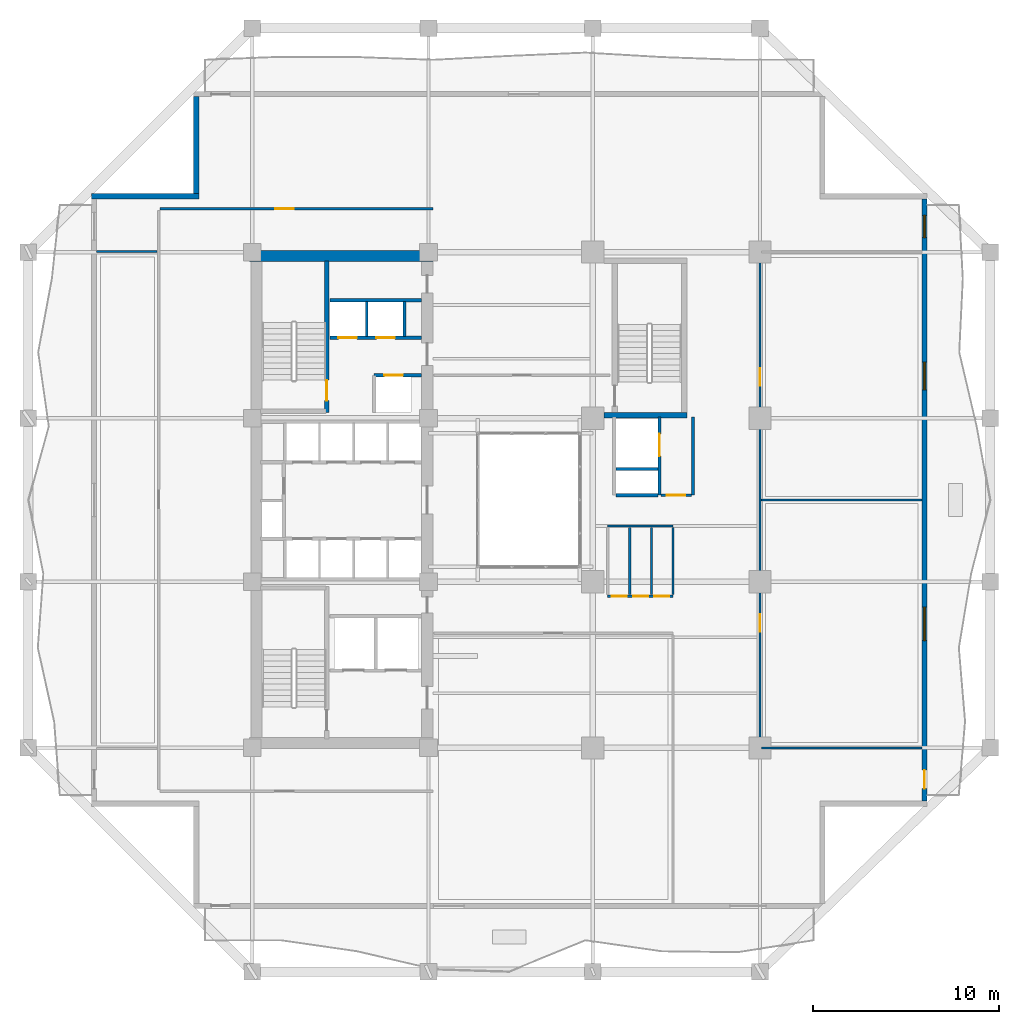
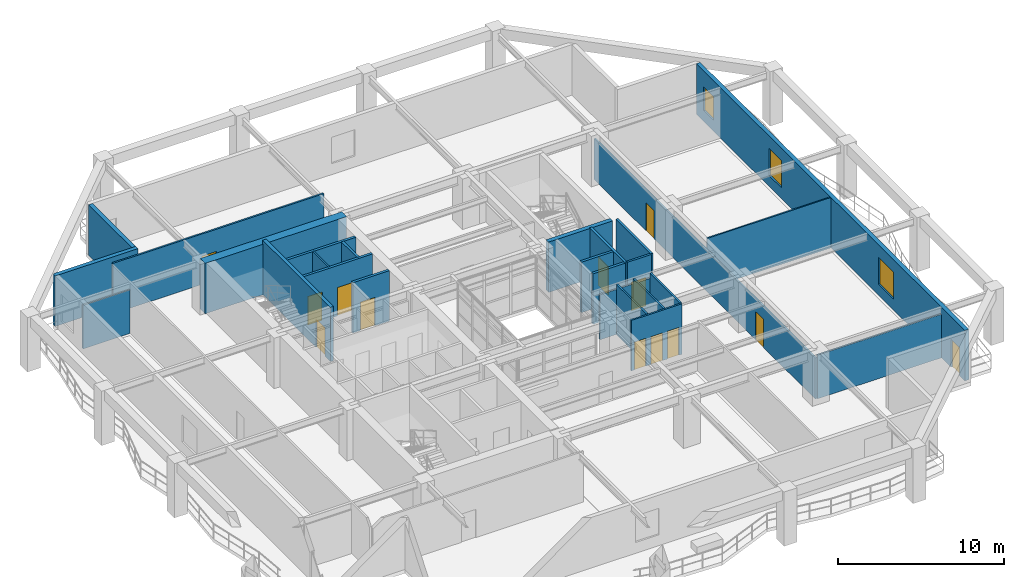
# One storey, part 8 of 17: 26 walls, 13 doors, 3 windows, 16 openings.
"""IFC4 building model written with IfcOpenShell, lengths in metres."""

from ifc_helpers import new_model, si_unit, direction, frame, frame_2d, origin, place, context, subcontext, project, spatial, rectangle, extrude, material, layer, layer_set, type_object, element, fill, save


model = new_model("IFC4")

# Units and contexts
model_context = context("Model", 3, precision=1e-05, world=origin(), true_north=direction((0.0, 1.0)))
body_context = subcontext(model_context, "Body", "Model", "MODEL_VIEW")
ifc_project = project(units=[si_unit("LENGTHUNIT", "METRE"), si_unit("AREAUNIT", "SQUARE_METRE"), si_unit("VOLUMEUNIT", "CUBIC_METRE"), si_unit("PLANEANGLEUNIT", "RADIAN"), si_unit("MASSUNIT", "GRAM", prefix="KILO")], contexts=[model_context])

# Site, building, storey
site_placement = place(None, origin())
site = spatial("IfcSite", under=ifc_project, at=site_placement, CompositionType="ELEMENT")
building_placement = place(site_placement, origin())
building = spatial("IfcBuilding", under=site, at=building_placement, Name="Kundavana Baori Tower", CompositionType="ELEMENT")
storey_placement = place(building_placement, frame((0.0, 0.0, 30.0)))
storey = spatial("IfcBuildingStorey", under=building, at=storey_placement, Name="L06", CompositionType="ELEMENT", Elevation=30.0)

# Wall, opening, door
ifc_material_1 = material(Name="Concrete C50/60", Category="concrete")
ifc_layer_1 = layer(ifc_material_1, 0.39990234375, Name="WL-CORE-400")
ifc_layer_set_1 = layer_set([ifc_layer_1], Name="Concrete C50/60")
wall_type_1 = type_object("IfcWallType", Name="WL-CORE-400", PredefinedType="SHEAR", material=ifc_layer_set_1)
wall_1_placement = place(storey_placement, frame((19.4599609375, 33.300048828125, 0.0), z_axis=(0.0, 0.0, 1.0), x_axis=(0.0, 1.0, 0.0)))
wall_1 = element("IfcWall", 1, at=wall_1_placement, inside=storey, type_object=wall_type_1, Name="WL-L06-ST2-E", PredefinedType="SHEAR", context=body_context, shape_type="SweptSolid", body=[
    extrude(rectangle(XDim=8.179931640625, YDim=0.239990234375, at=frame_2d((4.08984375, 0.0))), origin(), (0.0, 0.0, 1.0), 4.0),
])
opening_1_placement = place(wall_1_placement, frame((0.64990234375, 0.0, 0.0)))
opening_1 = element("IfcOpeningElement", 2, at=opening_1_placement, cuts=wall_1, Name="Opening FD-110", PredefinedType="OPENING", context=body_context, shape_type="SweptSolid", body=[
    extrude(rectangle(XDim=1.10009765625, YDim=2.10009765625, at=frame_2d((0.550048828125, 1.050048828125))), frame((0.0, 0.1298828125, 0.0), z_axis=(0.0, -1.0, 0.0), x_axis=(1.0, 0.0, 0.0)), (0.0, 0.0, 1.0), 0.260009765625),
])
ifc_material_2 = material(Name="Galvanised Steel Fire-Rated Door Leaf", Category="steel")
door_type_1 = type_object("IfcDoorType", Name="DR-FD120-1100", OperationType="NOTDEFINED", PredefinedType="DOOR", material=ifc_material_2)
door_1_placement = place(opening_1_placement, origin())
door_1 = element("IfcDoor", 3, at=door_1_placement, inside=storey, type_object=door_type_1, Name="DR-L06-ST2", OperationType="SINGLE_SWING_RIGHT", OverallHeight=2.10009765625, OverallWidth=1.10009765625, PredefinedType="DOOR", context=body_context, shape_type="SweptSolid", body=[
    extrude(rectangle(XDim=1.10009765625, YDim=2.10009765625, at=frame_2d((0.550048828125, 1.050048828125))), frame((0.0, 0.02490234375, 0.0), z_axis=(0.0, -1.0, 0.0), x_axis=(1.0, 0.0, 0.0)), (0.0, 0.0, 1.0), 0.050048828125),
])
fill(opening_1, door_1)

# Wall
ifc_material_3 = material(Name="Concrete C60/75", Category="concrete")
ifc_layer_2 = layer(ifc_material_3, 0.60009765625, Name="WL-CORE-600")
ifc_layer_set_2 = layer_set([ifc_layer_2], Name="Concrete C60/75")
wall_type_2 = type_object("IfcWallType", Name="WL-CORE-600", PredefinedType="SHEAR", material=ifc_layer_set_2)
wall_2_placement = place(storey_placement, frame((15.300048828125, 41.739990234375, 0.0), z_axis=(0.0, 0.0, 1.0), x_axis=(1.0, 0.0, 0.0)))
element("IfcWall", 4, at=wall_2_placement, inside=storey, type_object=wall_type_2, Name="L06 Offset Core North Shear Wall", PredefinedType="SHEAR", context=body_context, shape_type="SweptSolid", body=[
    extrude(rectangle(XDim=9.8798828125, YDim=0.60009765625, at=frame_2d((4.93994140625, 0.0))), origin(), (0.0, 0.0, 1.0), 3.719970703125),
])

# Wall, openings, door, windows
ifc_material_4 = material(Name="Red-Buff Dholpur Sandstone Cladding on Concrete C40/50", Category="masonry")
ifc_layer_3 = layer(ifc_material_4, 0.280029296875, Name="WL-EXT-SAND-280")
ifc_layer_set_3 = layer_set([ifc_layer_3], Name="Red-Buff Dholpur Sandstone Cladding on Concrete C40/50")
wall_type_3 = type_object("IfcWallType", Name="WL-EXT-SAND-280", PredefinedType="STANDARD", material=ifc_layer_set_3)
wall_3_placement = place(storey_placement, frame((51.659912109375, 12.3798828125, 0.0), z_axis=(0.0, 0.0, 1.0), x_axis=(0.0, 1.0, 0.0)))
wall_3 = element("IfcWall", 5, at=wall_3_placement, inside=storey, type_object=wall_type_3, Name="L06 Exterior Insulated Facade Wall 04", PredefinedType="STANDARD", context=body_context, shape_type="SweptSolid", body=[
    extrude(rectangle(XDim=32.440185546875, YDim=0.280029296875, at=frame_2d((16.22021484375, 0.0))), origin(), (0.0, 0.0, 1.0), 3.719970703125),
])
opening_2_placement = place(wall_3_placement, frame((0.669921875, 0.0, 0.0)))
opening_2 = element("IfcOpeningElement", 6, at=opening_2_placement, cuts=wall_3, Name="Opening BD-1", PredefinedType="OPENING", context=body_context, shape_type="SweptSolid", body=[
    extrude(rectangle(XDim=1.0, YDim=2.050048828125, at=frame_2d((0.5, 1.02490234375))), frame((0.0, 0.14990234375, 0.0), z_axis=(0.0, -1.0, 0.0), x_axis=(1.0, 0.0, 0.0)), (0.0, 0.0, 1.0), 0.300048828125),
])
opening_3_placement = place(wall_3_placement, frame((8.64501953125, 0.0, 0.800048828125)))
opening_3 = element("IfcOpeningElement", 7, at=opening_3_placement, cuts=wall_3, Name="Opening W-01", PredefinedType="OPENING", context=body_context, shape_type="SweptSolid", body=[
    extrude(rectangle(XDim=1.800048828125, YDim=2.0, at=frame_2d((0.89990234375, 1.0))), frame((0.0, 0.14990234375, 0.0), z_axis=(0.0, -1.0, 0.0), x_axis=(1.0, 0.0, 0.0)), (0.0, 0.0, 1.0), 0.300048828125),
])
opening_4_placement = place(wall_3_placement, frame((22.14501953125, 0.0, 0.800048828125)))
opening_4 = element("IfcOpeningElement", 8, at=opening_4_placement, cuts=wall_3, Name="Opening W-02", PredefinedType="OPENING", context=body_context, shape_type="SweptSolid", body=[
    extrude(rectangle(XDim=1.5, YDim=2.0, at=frame_2d((0.75, 1.0))), frame((0.0, 0.14990234375, 0.0), z_axis=(0.0, -1.0, 0.0), x_axis=(1.0, 0.0, 0.0)), (0.0, 0.0, 1.0), 0.300048828125),
])
opening_5_placement = place(wall_3_placement, frame((30.35009765625, 0.0, 0.800048828125)))
opening_5 = element("IfcOpeningElement", 9, at=opening_5_placement, cuts=wall_3, Name="Opening W-03", PredefinedType="OPENING", context=body_context, shape_type="SweptSolid", body=[
    extrude(rectangle(XDim=1.199951171875, YDim=1.75, at=frame_2d((0.60009765625, 0.875))), frame((0.0, 0.14990234375, 0.0), z_axis=(0.0, -1.0, 0.0), x_axis=(1.0, 0.0, 0.0)), (0.0, 0.0, 1.0), 0.300048828125),
])
ifc_material_5 = material(Name="Architectural Patinated Bronze Metalwork")
door_type_2 = type_object("IfcDoorType", Name="DR-EXT-LOG-1000", OperationType="NOTDEFINED", PredefinedType="DOOR", material=ifc_material_5)
door_2_placement = place(opening_2_placement, frame((1.0, 0.0, 0.0), z_axis=(0.0, 0.0, 1.0), x_axis=(-1.0, 0.0, 0.0)))
door_2 = element("IfcDoor", 10, at=door_2_placement, inside=storey, type_object=door_type_2, Name="L06 Loggia Balcony Access Door E", OperationType="SINGLE_SWING_RIGHT", OverallHeight=2.050048828125, OverallWidth=1.0, PredefinedType="DOOR", context=body_context, shape_type="SweptSolid", body=[
    extrude(rectangle(XDim=1.0, YDim=2.050048828125, at=frame_2d((0.5, 1.02490234375))), frame((0.0, 0.02490234375, 0.0), z_axis=(0.0, -1.0, 0.0), x_axis=(1.0, 0.0, 0.0)), (0.0, 0.0, 1.0), 0.050048828125),
])
fill(opening_2, door_2)
ifc_material_6 = material(Name="Double-Glazed Solar-Control Low-E Insulated Glass", Category="glass")
window_type_1 = type_object("IfcWindowType", Name="WIN-LOG-1200x1750", PartitioningType="SINGLE_PANEL", PredefinedType="WINDOW", material=ifc_material_6)
window_1_placement = place(opening_5_placement, origin())
window_1 = element("IfcWindow", 11, at=window_1_placement, inside=storey, type_object=window_type_1, Name="L06 Recessed Loggia Window E-4", OverallHeight=1.75, OverallWidth=1.199951171875, PartitioningType="SINGLE_PANEL", PredefinedType="WINDOW", context=body_context, shape_type="SweptSolid", body=[
    extrude(rectangle(XDim=1.199951171875, YDim=1.75, at=frame_2d((0.60009765625, 0.875))), frame((0.0, 0.030029296875, 0.0), z_axis=(0.0, -1.0, 0.0), x_axis=(1.0, 0.0, 0.0)), (0.0, 0.0, 1.0), 0.06005859375),
])
fill(opening_5, window_1)
ifc_material_7 = material(Name="Double-Glazed Solar-Control Low-E Insulated Glass", Category="glass")
window_type_2 = type_object("IfcWindowType", Name="WIN-LOG-1500x2000", PartitioningType="SINGLE_PANEL", PredefinedType="WINDOW", material=ifc_material_7)
window_2_placement = place(opening_4_placement, origin())
window_2 = element("IfcWindow", 12, at=window_2_placement, inside=storey, type_object=window_type_2, Name="L06 Recessed Loggia Window E-3", OverallHeight=2.0, OverallWidth=1.5, PartitioningType="SINGLE_PANEL", PredefinedType="WINDOW", context=body_context, shape_type="SweptSolid", body=[
    extrude(rectangle(XDim=1.5, YDim=2.0, at=frame_2d((0.75, 1.0))), frame((0.0, 0.030029296875, 0.0), z_axis=(0.0, -1.0, 0.0), x_axis=(1.0, 0.0, 0.0)), (0.0, 0.0, 1.0), 0.06005859375),
])
fill(opening_4, window_2)
ifc_material_8 = material(Name="Double-Glazed Solar-Control Low-E Insulated Glass", Category="glass")
window_type_3 = type_object("IfcWindowType", Name="WIN-LOG-1800x2000", PartitioningType="SINGLE_PANEL", PredefinedType="WINDOW", material=ifc_material_8)
window_3_placement = place(opening_3_placement, origin())
window_3 = element("IfcWindow", 13, at=window_3_placement, inside=storey, type_object=window_type_3, Name="L06 Recessed Loggia Window E-2", OverallHeight=2.0, OverallWidth=1.800048828125, PartitioningType="SINGLE_PANEL", PredefinedType="WINDOW", context=body_context, shape_type="SweptSolid", body=[
    extrude(rectangle(XDim=1.800048828125, YDim=2.0, at=frame_2d((0.89990234375, 1.0))), frame((0.0, 0.030029296875, 0.0), z_axis=(0.0, -1.0, 0.0), x_axis=(1.0, 0.0, 0.0)), (0.0, 0.0, 1.0), 0.06005859375),
])
fill(opening_3, window_3)

# Walls
wall_4_placement = place(storey_placement, frame((12.43994140625, 50.320068359375, 0.0), z_axis=(0.0, 0.0, 1.0), x_axis=(0.0, -1.0, 0.0)))
element("IfcWall", 14, at=wall_4_placement, inside=storey, type_object=wall_type_3, Name="L06 Exterior Insulated Facade Wall 08", PredefinedType="STANDARD", context=body_context, shape_type="SweptSolid", body=[
    extrude(rectangle(XDim=5.219970703125, YDim=0.280029296875, at=frame_2d((2.60986328125, 0.0))), origin(), (0.0, 0.0, 1.0), 3.719970703125),
])
wall_5_placement = place(storey_placement, frame((12.580078125, 44.9599609375, 0.0), z_axis=(0.0, 0.0, 1.0), x_axis=(-1.0, 0.0, 0.0)))
element("IfcWall", 15, at=wall_5_placement, inside=storey, type_object=wall_type_3, Name="L06 Exterior Insulated Facade Wall 09", PredefinedType="STANDARD", context=body_context, shape_type="SweptSolid", body=[
    extrude(rectangle(XDim=5.780029296875, YDim=0.280029296875, at=frame_2d((2.89013671875, 0.0))), origin(), (0.0, 0.0, 1.0), 3.719970703125),
])
ifc_material_9 = material(Name="Acoustic Gypsum Plasterboard on Galvanised Steel Studs", Category="steel")
ifc_layer_4 = layer(ifc_material_9, 0.10009765625, Name="WL-MOV-100")
ifc_layer_set_4 = layer_set([ifc_layer_4], Name="Acoustic Gypsum Plasterboard on Galvanised Steel Studs")
wall_type_4 = type_object("IfcWallType", Name="WL-MOV-100", PredefinedType="MOVABLE", material=ifc_layer_set_4)
wall_6_placement = place(storey_placement, frame((42.8798828125, 28.60009765625, 0.0), z_axis=(0.0, 0.0, 1.0), x_axis=(1.0, 0.0, 0.0)))
element("IfcWall", 16, at=wall_6_placement, inside=storey, type_object=wall_type_4, Name="WL-L06-ED1", PredefinedType="MOVABLE", context=body_context, shape_type="SweptSolid", body=[
    extrude(rectangle(XDim=8.64013671875, YDim=0.10009765625, at=frame_2d((4.320068359375, 0.0))), origin(), (0.0, 0.0, 1.0), 3.719970703125),
])
ifc_material_10 = material(Name="Acoustic Gypsum Plasterboard on Galvanised Steel Studs", Category="steel")
ifc_layer_5 = layer(ifc_material_10, 0.1201171875, Name="WL-PART-120")
ifc_layer_set_5 = layer_set([ifc_layer_5], Name="Acoustic Gypsum Plasterboard on Galvanised Steel Studs")
wall_type_5 = type_object("IfcWallType", Name="WL-PART-120", PredefinedType="PARTITIONING", material=ifc_layer_set_5)
wall_7_placement = place(storey_placement, frame((21.6201171875, 37.39990234375, 0.0), z_axis=(0.0, 0.0, 1.0), x_axis=(0.0, 1.0, 0.0)))
element("IfcWall", 17, at=wall_7_placement, inside=storey, type_object=wall_type_5, Name="WL-L06-HR-DIV1", PredefinedType="PARTITIONING", context=body_context, shape_type="SweptSolid", body=[
    extrude(rectangle(XDim=1.900146484375, YDim=0.1201171875, at=frame_2d((0.9501953125, 0.0))), origin(), (0.0, 0.0, 1.0), 3.719970703125),
])

# Wall, openings, doors
wall_8_placement = place(storey_placement, frame((34.60009765625, 23.419921875, 0.0), z_axis=(0.0, 0.0, 1.0), x_axis=(1.0, 0.0, 0.0)))
wall_8 = element("IfcWall", 18, at=wall_8_placement, inside=storey, type_object=wall_type_5, Name="WL-L06-OFST", PredefinedType="PARTITIONING", context=body_context, shape_type="SweptSolid", body=[
    extrude(rectangle(XDim=3.52001953125, YDim=0.1201171875, at=frame_2d((1.760009765625, 0.0))), origin(), (0.0, 0.0, 1.0), 3.719970703125),
])
opening_6_placement = place(wall_8_placement, frame((0.219970703125, 0.0, 0.0)))
opening_6 = element("IfcOpeningElement", 19, at=opening_6_placement, cuts=wall_8, Name="Opening WD-080", PredefinedType="OPENING", context=body_context, shape_type="SweptSolid", body=[
    extrude(rectangle(XDim=0.800048828125, YDim=2.050048828125, at=frame_2d((0.39990234375, 1.02490234375))), frame((0.0, 0.070068359375, 0.0), z_axis=(0.0, -1.0, 0.0), x_axis=(1.0, 0.0, 0.0)), (0.0, 0.0, 1.0), 0.14013671875),
])
opening_7_placement = place(wall_8_placement, frame((1.3798828125, 0.0, 0.0)))
opening_7 = element("IfcOpeningElement", 20, at=opening_7_placement, cuts=wall_8, Name="Opening WD-080", PredefinedType="OPENING", context=body_context, shape_type="SweptSolid", body=[
    extrude(rectangle(XDim=0.800048828125, YDim=2.050048828125, at=frame_2d((0.39990234375, 1.02490234375))), frame((0.0, 0.070068359375, 0.0), z_axis=(0.0, -1.0, 0.0), x_axis=(1.0, 0.0, 0.0)), (0.0, 0.0, 1.0), 0.14013671875),
])
opening_8_placement = place(wall_8_placement, frame((2.52001953125, 0.0, 0.0)))
opening_8 = element("IfcOpeningElement", 21, at=opening_8_placement, cuts=wall_8, Name="Opening WD-080", PredefinedType="OPENING", context=body_context, shape_type="SweptSolid", body=[
    extrude(rectangle(XDim=0.800048828125, YDim=2.050048828125, at=frame_2d((0.39990234375, 1.02490234375))), frame((0.0, 0.070068359375, 0.0), z_axis=(0.0, -1.0, 0.0), x_axis=(1.0, 0.0, 0.0)), (0.0, 0.0, 1.0), 0.14013671875),
])
ifc_material_11 = material(Name="Engineered Teak Solid-Core Timber Veneer", Category="wood")
door_type_3 = type_object("IfcDoorType", Name="DR-WET-800", OperationType="NOTDEFINED", PredefinedType="DOOR", material=ifc_material_11)
door_3_placement = place(opening_6_placement, origin())
door_3 = element("IfcDoor", 22, at=door_3_placement, inside=storey, type_object=door_type_3, Name="DR-L06-WCM", OperationType="SINGLE_SWING_LEFT", OverallHeight=2.050048828125, OverallWidth=0.800048828125, PredefinedType="DOOR", context=body_context, shape_type="SweptSolid", body=[
    extrude(rectangle(XDim=0.800048828125, YDim=2.050048828125, at=frame_2d((0.39990234375, 1.02490234375))), frame((0.0, 0.02490234375, 0.0), z_axis=(0.0, -1.0, 0.0), x_axis=(1.0, 0.0, 0.0)), (0.0, 0.0, 1.0), 0.050048828125),
])
fill(opening_6, door_3)
door_4_placement = place(opening_7_placement, origin())
door_4 = element("IfcDoor", 23, at=door_4_placement, inside=storey, type_object=door_type_3, Name="DR-L06-WCA", OperationType="SINGLE_SWING_RIGHT", OverallHeight=2.050048828125, OverallWidth=0.800048828125, PredefinedType="DOOR", context=body_context, shape_type="SweptSolid", body=[
    extrude(rectangle(XDim=0.800048828125, YDim=2.050048828125, at=frame_2d((0.39990234375, 1.02490234375))), frame((0.0, 0.02490234375, 0.0), z_axis=(0.0, -1.0, 0.0), x_axis=(1.0, 0.0, 0.0)), (0.0, 0.0, 1.0), 0.050048828125),
])
fill(opening_7, door_4)
door_5_placement = place(opening_8_placement, origin())
door_5 = element("IfcDoor", 24, at=door_5_placement, inside=storey, type_object=door_type_3, Name="DR-L06-PNT", OperationType="SINGLE_SWING_LEFT", OverallHeight=2.050048828125, OverallWidth=0.800048828125, PredefinedType="DOOR", context=body_context, shape_type="SweptSolid", body=[
    extrude(rectangle(XDim=0.800048828125, YDim=2.050048828125, at=frame_2d((0.39990234375, 1.02490234375))), frame((0.0, 0.02490234375, 0.0), z_axis=(0.0, -1.0, 0.0), x_axis=(1.0, 0.0, 0.0)), (0.0, 0.0, 1.0), 0.050048828125),
])
fill(opening_8, door_5)

wall_9_placement = place(storey_placement, frame((42.800048828125, 15.25, 0.0), z_axis=(0.0, 0.0, 1.0), x_axis=(0.0, 1.0, 0.0)))
wall_9 = element("IfcWall", 25, at=wall_9_placement, inside=storey, type_object=wall_type_5, Name="WL-L06-OFE", PredefinedType="PARTITIONING", context=body_context, shape_type="SweptSolid", body=[
    extrude(rectangle(XDim=26.699951171875, YDim=0.1201171875, at=frame_2d((13.35009765625, 0.0))), origin(), (0.0, 0.0, 1.0), 3.02001953125),
])
opening_9_placement = place(wall_9_placement, frame((6.25, 0.0, 0.0)))
opening_9 = element("IfcOpeningElement", 26, at=opening_9_placement, cuts=wall_9, Name="Opening ID-095", PredefinedType="OPENING", context=body_context, shape_type="SweptSolid", body=[
    extrude(rectangle(XDim=0.949951171875, YDim=2.080078125, at=frame_2d((0.47509765625, 1.0400390625))), frame((0.0, 0.070068359375, 0.0), z_axis=(0.0, -1.0, 0.0), x_axis=(1.0, 0.0, 0.0)), (0.0, 0.0, 1.0), 0.14013671875),
])
opening_10_placement = place(wall_9_placement, frame((19.5, 0.0, 0.0)))
opening_10 = element("IfcOpeningElement", 27, at=opening_10_placement, cuts=wall_9, Name="Opening ID-095", PredefinedType="OPENING", context=body_context, shape_type="SweptSolid", body=[
    extrude(rectangle(XDim=0.949951171875, YDim=2.080078125, at=frame_2d((0.47509765625, 1.0400390625))), frame((0.0, 0.070068359375, 0.0), z_axis=(0.0, -1.0, 0.0), x_axis=(1.0, 0.0, 0.0)), (0.0, 0.0, 1.0), 0.14013671875),
])
ifc_material_12 = material(Name="Engineered Teak Solid-Core Timber Veneer", Category="wood")
door_type_4 = type_object("IfcDoorType", Name="DR-INT-950", OperationType="NOTDEFINED", PredefinedType="DOOR", material=ifc_material_12)
door_6_placement = place(opening_9_placement, origin())
door_6 = element("IfcDoor", 28, at=door_6_placement, inside=storey, type_object=door_type_4, Name="DR-L06-OFE1", OperationType="SINGLE_SWING_RIGHT", OverallHeight=2.080078125, OverallWidth=0.949951171875, PredefinedType="DOOR", context=body_context, shape_type="SweptSolid", body=[
    extrude(rectangle(XDim=0.949951171875, YDim=2.080078125, at=frame_2d((0.47509765625, 1.0400390625))), frame((0.0, 0.02490234375, 0.0), z_axis=(0.0, -1.0, 0.0), x_axis=(1.0, 0.0, 0.0)), (0.0, 0.0, 1.0), 0.050048828125),
])
fill(opening_9, door_6)
door_7_placement = place(opening_10_placement, origin())
door_7 = element("IfcDoor", 29, at=door_7_placement, inside=storey, type_object=door_type_4, Name="DR-L06-OFE2", OperationType="SINGLE_SWING_LEFT", OverallHeight=2.080078125, OverallWidth=0.949951171875, PredefinedType="DOOR", context=body_context, shape_type="SweptSolid", body=[
    extrude(rectangle(XDim=0.949951171875, YDim=2.080078125, at=frame_2d((0.47509765625, 1.0400390625))), frame((0.0, 0.02490234375, 0.0), z_axis=(0.0, -1.0, 0.0), x_axis=(1.0, 0.0, 0.0)), (0.0, 0.0, 1.0), 0.050048828125),
])
fill(opening_10, door_7)

# Walls
wall_10_placement = place(storey_placement, frame((42.8798828125, 15.25, 0.0), z_axis=(0.0, 0.0, 1.0), x_axis=(1.0, 0.0, 0.0)))
element("IfcWall", 30, at=wall_10_placement, inside=storey, type_object=wall_type_5, Name="WL-L06-OFES", PredefinedType="PARTITIONING", context=body_context, shape_type="SweptSolid", body=[
    extrude(rectangle(XDim=8.64013671875, YDim=0.1201171875, at=frame_2d((4.320068359375, 0.0))), origin(), (0.0, 0.0, 1.0), 3.219970703125),
])
wall_11_placement = place(storey_placement, frame((7.080078125, 41.97998046875, 0.0), z_axis=(0.0, 0.0, 1.0), x_axis=(1.0, 0.0, 0.0)))
element("IfcWall", 31, at=wall_11_placement, inside=storey, type_object=wall_type_5, Name="WL-L06-OWN", PredefinedType="PARTITIONING", context=body_context, shape_type="SweptSolid", body=[
    extrude(rectangle(XDim=3.260009765625, YDim=0.1201171875, at=frame_2d((1.6298828125, 0.0))), origin(), (0.0, 0.0, 1.0), 3.219970703125),
])

# Wall, opening, door
wall_12_placement = place(storey_placement, frame((10.5, 44.280029296875, 0.0), z_axis=(0.0, 0.0, 1.0), x_axis=(1.0, 0.0, 0.0)))
wall_12 = element("IfcWall", 32, at=wall_12_placement, inside=storey, type_object=wall_type_5, Name="WL-L06-ONC", PredefinedType="PARTITIONING", context=body_context, shape_type="SweptSolid", body=[
    extrude(rectangle(XDim=14.699951171875, YDim=0.1201171875, at=frame_2d((7.35009765625, 0.0))), origin(), (0.0, 0.0, 1.0), 3.719970703125),
])
opening_11_placement = place(wall_12_placement, frame((6.199951171875, 0.0, 0.0)))
opening_11 = element("IfcOpeningElement", 33, at=opening_11_placement, cuts=wall_12, Name="Opening ID-100", PredefinedType="OPENING", context=body_context, shape_type="SweptSolid", body=[
    extrude(rectangle(XDim=1.0, YDim=2.080078125, at=frame_2d((0.5, 1.0400390625))), frame((0.0, 0.070068359375, 0.0), z_axis=(0.0, -1.0, 0.0), x_axis=(1.0, 0.0, 0.0)), (0.0, 0.0, 1.0), 0.14013671875),
])
ifc_material_13 = material(Name="Engineered Teak Solid-Core Timber Veneer", Category="wood")
door_type_5 = type_object("IfcDoorType", Name="DR-INT-1000", OperationType="NOTDEFINED", PredefinedType="DOOR", material=ifc_material_13)
door_8_placement = place(opening_11_placement, origin())
door_8 = element("IfcDoor", 34, at=door_8_placement, inside=storey, type_object=door_type_5, Name="DR-L06-ONWC", OperationType="SINGLE_SWING_RIGHT", OverallHeight=2.080078125, OverallWidth=1.0, PredefinedType="DOOR", context=body_context, shape_type="SweptSolid", body=[
    extrude(rectangle(XDim=1.0, YDim=2.080078125, at=frame_2d((0.5, 1.0400390625))), frame((0.0, 0.02490234375, 0.0), z_axis=(0.0, -1.0, 0.0), x_axis=(1.0, 0.0, 0.0)), (0.0, 0.0, 1.0), 0.050048828125),
])
fill(opening_11, door_8)

# Wall
ifc_material_14 = material(Name="Fire-Rated Gypsum Drywall on Galvanised Steel Studs", Category="steel")
ifc_layer_6 = layer(ifc_material_14, 0.14990234375, Name="WL-PART-150")
ifc_layer_set_6 = layer_set([ifc_layer_6], Name="Fire-Rated Gypsum Drywall on Galvanised Steel Studs")
wall_type_6 = type_object("IfcWallType", Name="WL-PART-150", PredefinedType="PARTITIONING", material=ifc_layer_set_6)
wall_13_placement = place(storey_placement, frame((39.199951171875, 28.860107421875, 0.0), z_axis=(0.0, 0.0, 1.0), x_axis=(0.0, 1.0, 0.0)))
element("IfcWall", 35, at=wall_13_placement, inside=storey, type_object=wall_type_6, Name="WL-L06-SVLOB-E", PredefinedType="PARTITIONING", context=body_context, shape_type="SweptSolid", body=[
    extrude(rectangle(XDim=4.219970703125, YDim=0.14990234375, at=frame_2d((2.10986328125, 0.0))), origin(), (0.0, 0.0, 1.0), 3.719970703125),
])

# Wall, opening, door
wall_14_placement = place(storey_placement, frame((37.47998046875, 28.860107421875, 0.0), z_axis=(0.0, 0.0, 1.0), x_axis=(1.0, 0.0, 0.0)))
wall_14 = element("IfcWall", 36, at=wall_14_placement, inside=storey, type_object=wall_type_6, Name="WL-L06-SVLOB-S", PredefinedType="PARTITIONING", context=body_context, shape_type="SweptSolid", body=[
    extrude(rectangle(XDim=1.64013671875, YDim=0.14990234375, at=frame_2d((0.820068359375, 0.0))), origin(), (0.0, 0.0, 1.0), 3.719970703125),
])
opening_12_placement = place(wall_14_placement, frame((0.300048828125, 0.0, 0.0)))
opening_12 = element("IfcOpeningElement", 37, at=opening_12_placement, cuts=wall_14, Name="Opening FD-100", PredefinedType="OPENING", context=body_context, shape_type="SweptSolid", body=[
    extrude(rectangle(XDim=1.0, YDim=2.10009765625, at=frame_2d((0.5, 1.050048828125))), frame((0.0, 0.0849609375, 0.0), z_axis=(0.0, -1.0, 0.0), x_axis=(1.0, 0.0, 0.0)), (0.0, 0.0, 1.0), 0.169921875),
])
ifc_material_15 = material(Name="Engineered Teak Fire-Rated Timber Door Leaf", Category="wood")
door_type_6 = type_object("IfcDoorType", Name="DR-FD60-1000", OperationType="NOTDEFINED", PredefinedType="DOOR", material=ifc_material_15)
door_9_placement = place(opening_12_placement, origin())
door_9 = element("IfcDoor", 38, at=door_9_placement, inside=storey, type_object=door_type_6, Name="DR-L06-SVLOB-OUT", OperationType="SINGLE_SWING_LEFT", OverallHeight=2.10009765625, OverallWidth=1.0, PredefinedType="DOOR", context=body_context, shape_type="SweptSolid", body=[
    extrude(rectangle(XDim=1.0, YDim=2.10009765625, at=frame_2d((0.5, 1.050048828125))), frame((0.0, 0.02490234375, 0.0), z_axis=(0.0, -1.0, 0.0), x_axis=(1.0, 0.0, 0.0)), (0.0, 0.0, 1.0), 0.050048828125),
])
fill(opening_12, door_9)

ifc_material_16 = material(Name="Autoclaved Aerated Concrete Blockwork Masonry", Category="masonry")
ifc_layer_7 = layer(ifc_material_16, 0.179931640625, Name="WL-SHAFT-180")
ifc_layer_set_7 = layer_set([ifc_layer_7], Name="Autoclaved Aerated Concrete Blockwork Masonry")
wall_type_7 = type_object("IfcWallType", Name="WL-SHAFT-180", PredefinedType="SOLIDWALL", material=ifc_layer_set_7)
wall_15_placement = place(storey_placement, frame((22.02001953125, 35.31005859375, 0.0), z_axis=(0.0, 0.0, 1.0), x_axis=(1.0, 0.0, 0.0)))
wall_15 = element("IfcWall", 39, at=wall_15_placement, inside=storey, type_object=wall_type_7, Name="WL-L06-LP11-N", PredefinedType="SOLIDWALL", context=body_context, shape_type="SweptSolid", body=[
    extrude(rectangle(XDim=2.56005859375, YDim=0.179931640625, at=frame_2d((1.280029296875, 0.0))), origin(), (0.0, 0.0, 1.0), 3.719970703125),
])
opening_13_placement = place(wall_15_placement, frame((0.550048828125, 0.0, 0.0)))
opening_13 = element("IfcOpeningElement", 40, at=opening_13_placement, cuts=wall_15, Name="Opening LD-100", PredefinedType="OPENING", context=body_context, shape_type="SweptSolid", body=[
    extrude(rectangle(XDim=1.0, YDim=2.10009765625, at=frame_2d((0.5, 1.050048828125))), frame((0.0, 0.10009765625, 0.0), z_axis=(0.0, -1.0, 0.0), x_axis=(1.0, 0.0, 0.0)), (0.0, 0.0, 1.0), 0.199951171875),
])
ifc_material_17 = material(Name="Galvanised Steel Fire-Rated Door Leaf", Category="steel")
door_type_7 = type_object("IfcDoorType", Name="DR-SLIDE-LD1000", OperationType="NOTDEFINED", PredefinedType="DOOR", material=ifc_material_17)
door_10_placement = place(opening_13_placement, origin())
door_10 = element("IfcDoor", 41, at=door_10_placement, inside=storey, type_object=door_type_7, Name="DR-L06-LD-LP11", OperationType="DOUBLE_DOOR_SLIDING", OverallHeight=2.10009765625, OverallWidth=1.0, PredefinedType="DOOR", context=body_context, shape_type="SweptSolid", body=[
    extrude(rectangle(XDim=1.0, YDim=2.10009765625, at=frame_2d((0.5, 1.050048828125))), frame((0.0, 0.02490234375, 0.0), z_axis=(0.0, -1.0, 0.0), x_axis=(1.0, 0.0, 0.0)), (0.0, 0.0, 1.0), 0.050048828125),
])
fill(opening_13, door_10)

# Wall, openings, doors
wall_16_placement = place(storey_placement, frame((19.639892578125, 37.340087890625, 0.0), z_axis=(0.0, 0.0, 1.0), x_axis=(1.0, 0.0, 0.0)))
wall_16 = element("IfcWall", 42, at=wall_16_placement, inside=storey, type_object=wall_type_7, Name="WL-L06-HRLOB-N", PredefinedType="SOLIDWALL", context=body_context, shape_type="SweptSolid", body=[
    extrude(rectangle(XDim=4.940185546875, YDim=0.179931640625, at=frame_2d((2.47021484375, 0.0))), origin(), (0.0, 0.0, 1.0), 3.719970703125),
])
opening_14_placement = place(wall_16_placement, frame((0.449951171875, 0.0, 0.0)))
opening_14 = element("IfcOpeningElement", 43, at=opening_14_placement, cuts=wall_16, Name="Opening LD-100", PredefinedType="OPENING", context=body_context, shape_type="SweptSolid", body=[
    extrude(rectangle(XDim=1.0, YDim=2.10009765625, at=frame_2d((0.5, 1.050048828125))), frame((0.0, 0.10009765625, 0.0), z_axis=(0.0, -1.0, 0.0), x_axis=(1.0, 0.0, 0.0)), (0.0, 0.0, 1.0), 0.199951171875),
])
opening_15_placement = place(wall_16_placement, frame((2.5, 0.0, 0.0)))
opening_15 = element("IfcOpeningElement", 44, at=opening_15_placement, cuts=wall_16, Name="Opening LD-100", PredefinedType="OPENING", context=body_context, shape_type="SweptSolid", body=[
    extrude(rectangle(XDim=1.0, YDim=2.10009765625, at=frame_2d((0.5, 1.050048828125))), frame((0.0, 0.10009765625, 0.0), z_axis=(0.0, -1.0, 0.0), x_axis=(1.0, 0.0, 0.0)), (0.0, 0.0, 1.0), 0.199951171875),
])
door_11_placement = place(opening_14_placement, frame((1.0, 0.0, 0.0), z_axis=(0.0, 0.0, 1.0), x_axis=(-1.0, 0.0, 0.0)))
door_11 = element("IfcDoor", 45, at=door_11_placement, inside=storey, type_object=door_type_7, Name="DR-L06-LD-LP09", OperationType="DOUBLE_DOOR_SLIDING", OverallHeight=2.10009765625, OverallWidth=1.0, PredefinedType="DOOR", context=body_context, shape_type="SweptSolid", body=[
    extrude(rectangle(XDim=1.0, YDim=2.10009765625, at=frame_2d((0.5, 1.050048828125))), frame((0.0, 0.02490234375, 0.0), z_axis=(0.0, -1.0, 0.0), x_axis=(1.0, 0.0, 0.0)), (0.0, 0.0, 1.0), 0.050048828125),
])
fill(opening_14, door_11)
door_12_placement = place(opening_15_placement, frame((1.0, 0.0, 0.0), z_axis=(0.0, 0.0, 1.0), x_axis=(-1.0, 0.0, 0.0)))
door_12 = element("IfcDoor", 46, at=door_12_placement, inside=storey, type_object=door_type_7, Name="DR-L06-LD-LP10", OperationType="DOUBLE_DOOR_SLIDING", OverallHeight=2.10009765625, OverallWidth=1.0, PredefinedType="DOOR", context=body_context, shape_type="SweptSolid", body=[
    extrude(rectangle(XDim=1.0, YDim=2.10009765625, at=frame_2d((0.5, 1.050048828125))), frame((0.0, 0.02490234375, 0.0), z_axis=(0.0, -1.0, 0.0), x_axis=(1.0, 0.0, 0.0)), (0.0, 0.0, 1.0), 0.050048828125),
])
fill(opening_15, door_12)

# Walls
wall_17_placement = place(storey_placement, frame((19.639892578125, 39.360107421875, 0.0), z_axis=(0.0, 0.0, 1.0), x_axis=(1.0, 0.0, 0.0)))
element("IfcWall", 47, at=wall_17_placement, inside=storey, type_object=wall_type_7, Name="WL-L06-HRLOB-TOP", PredefinedType="SOLIDWALL", context=body_context, shape_type="SweptSolid", body=[
    extrude(rectangle(XDim=4.940185546875, YDim=0.179931640625, at=frame_2d((2.47021484375, 0.0))), origin(), (0.0, 0.0, 1.0), 3.719970703125),
])
wall_18_placement = place(storey_placement, frame((23.659912109375, 37.39990234375, 0.0), z_axis=(0.0, 0.0, 1.0), x_axis=(0.0, 1.0, 0.0)))
element("IfcWall", 48, at=wall_18_placement, inside=storey, type_object=wall_type_7, Name="WL-L06-HR-DIV2", PredefinedType="SOLIDWALL", context=body_context, shape_type="SweptSolid", body=[
    extrude(rectangle(XDim=1.900146484375, YDim=0.179931640625, at=frame_2d((0.9501953125, 0.0))), origin(), (0.0, 0.0, 1.0), 3.719970703125),
])

# Wall, opening, door
wall_19_placement = place(storey_placement, frame((37.389892578125, 28.860107421875, 0.0), z_axis=(0.0, 0.0, 1.0), x_axis=(0.0, 1.0, 0.0)))
wall_19 = element("IfcWall", 49, at=wall_19_placement, inside=storey, type_object=wall_type_7, Name="WL-L06-SVL-E", PredefinedType="SOLIDWALL", context=body_context, shape_type="SweptSolid", body=[
    extrude(rectangle(XDim=4.219970703125, YDim=0.179931640625, at=frame_2d((2.10986328125, 0.0))), origin(), (0.0, 0.0, 1.0), 3.719970703125),
])
opening_16_placement = place(wall_19_placement, frame((2.10009765625, 0.0, 0.0)))
opening_16 = element("IfcOpeningElement", 50, at=opening_16_placement, cuts=wall_19, Name="Opening LD-120", PredefinedType="OPENING", context=body_context, shape_type="SweptSolid", body=[
    extrude(rectangle(XDim=1.199951171875, YDim=2.1201171875, at=frame_2d((0.60009765625, 1.06005859375))), frame((0.0, 0.10009765625, 0.0), z_axis=(0.0, -1.0, 0.0), x_axis=(1.0, 0.0, 0.0)), (0.0, 0.0, 1.0), 0.199951171875),
])
ifc_material_18 = material(Name="Galvanised Steel Fire-Rated Door Leaf", Category="steel")
door_type_8 = type_object("IfcDoorType", Name="DR-SLIDE-LD1200", OperationType="NOTDEFINED", PredefinedType="DOOR", material=ifc_material_18)
door_13_placement = place(opening_16_placement, frame((1.199951171875, 0.0, 0.0), z_axis=(0.0, 0.0, 1.0), x_axis=(-1.0, 0.0, 0.0)))
door_13 = element("IfcDoor", 51, at=door_13_placement, inside=storey, type_object=door_type_8, Name="DR-L06-LD-SVL1", OperationType="DOUBLE_DOOR_SLIDING", OverallHeight=2.1201171875, OverallWidth=1.199951171875, PredefinedType="DOOR", context=body_context, shape_type="SweptSolid", body=[
    extrude(rectangle(XDim=1.199951171875, YDim=2.1201171875, at=frame_2d((0.60009765625, 1.06005859375))), frame((0.0, 0.02490234375, 0.0), z_axis=(0.0, -1.0, 0.0), x_axis=(1.0, 0.0, 0.0)), (0.0, 0.0, 1.0), 0.050048828125),
])
fill(opening_16, door_13)

# Walls
for number, where, z_axis, x_axis, name in (
    (52, (35.050048828125, 28.860107421875, 0.0), (0.0, 0.0, 1.0), (1.0, 0.0, 0.0), "WL-L06-SVL-S"),
    (53, (35.050048828125, 30.27001953125, 0.0), (0.0, 0.0, 1.0), (1.0, 0.0, 0.0), "WL-L06-SVL-M"),
):
    element("IfcWall", number, at=place(storey_placement, frame(where, z_axis=z_axis, x_axis=x_axis)), inside=storey, type_object=wall_type_7, Name=name, PredefinedType="SOLIDWALL", context=body_context, shape_type="SweptSolid", body=[
        extrude(rectangle(XDim=2.25, YDim=0.179931640625, at=frame_2d((1.125, 0.0))), origin(), (0.0, 0.0, 1.0), 3.719970703125),
    ])
ifc_material_19 = material(Name="Concrete C50/60", Category="concrete")
ifc_layer_8 = layer(ifc_material_19, 0.300048828125, Name="WL-ST3-300")
ifc_layer_set_8 = layer_set([ifc_layer_8], Name="Concrete C50/60")
wall_type_8 = type_object("IfcWallType", Name="WL-ST3-300", PredefinedType="SHEAR", material=ifc_layer_set_8)
wall_20_placement = place(storey_placement, frame((34.39990234375, 33.159912109375, 0.0), z_axis=(0.0, 0.0, 1.0), x_axis=(1.0, 0.0, 0.0)))
element("IfcWall", 54, at=wall_20_placement, inside=storey, type_object=wall_type_8, Name="L06 Stair ST3 South Shear Wall", PredefinedType="SHEAR", context=body_context, shape_type="SweptSolid", body=[
    extrude(rectangle(XDim=4.47021484375, YDim=0.300048828125, at=frame_2d((2.235107421875, 0.0))), origin(), (0.0, 0.0, 1.0), 3.719970703125),
])
ifc_material_20 = material(Name="Autoclaved Aerated Concrete Blockwork Masonry", Category="masonry")
ifc_layer_9 = layer(ifc_material_20, 0.125, Name="WL-WET-120")
ifc_layer_set_9 = layer_set([ifc_layer_9], Name="Autoclaved Aerated Concrete Blockwork Masonry")
wall_type_9 = type_object("IfcWallType", Name="WL-WET-120", PredefinedType="PLUMBINGWALL", material=ifc_layer_set_9)
wall_21_placement = place(storey_placement, frame((34.60009765625, 27.199951171875, 0.0), z_axis=(0.0, 0.0, 1.0), x_axis=(1.0, 0.0, 0.0)))
element("IfcWall", 55, at=wall_21_placement, inside=storey, type_object=wall_type_9, Name="WL-L06-WCN", PredefinedType="PLUMBINGWALL", context=body_context, shape_type="SweptSolid", body=[
    extrude(rectangle(XDim=3.52001953125, YDim=0.125, at=frame_2d((1.760009765625, 0.0))), origin(), (0.0, 0.0, 1.0), 3.320068359375),
])
for number, where, z_axis, x_axis, name in (
    (56, (38.1201171875, 23.5, 0.0), (0.0, 0.0, 1.0), (0.0, 1.0, 0.0), "WL-L06-WCE"),
    (57, (35.780029296875, 23.5, 0.0), (0.0, 0.0, 1.0), (0.0, 1.0, 0.0), "WL-L06-WCD1"),
    (58, (36.9599609375, 23.5, 0.0), (0.0, 0.0, 1.0), (0.0, 1.0, 0.0), "WL-L06-WCD2"),
):
    element("IfcWall", number, at=place(storey_placement, frame(where, z_axis=z_axis, x_axis=x_axis)), inside=storey, type_object=wall_type_9, Name=name, PredefinedType="PLUMBINGWALL", context=body_context, shape_type="SweptSolid", body=[
        extrude(rectangle(XDim=3.6201171875, YDim=0.125, at=frame_2d((1.81005859375, 0.0))), origin(), (0.0, 0.0, 1.0), 3.719970703125),
    ])

save(model, "model.ifc")
